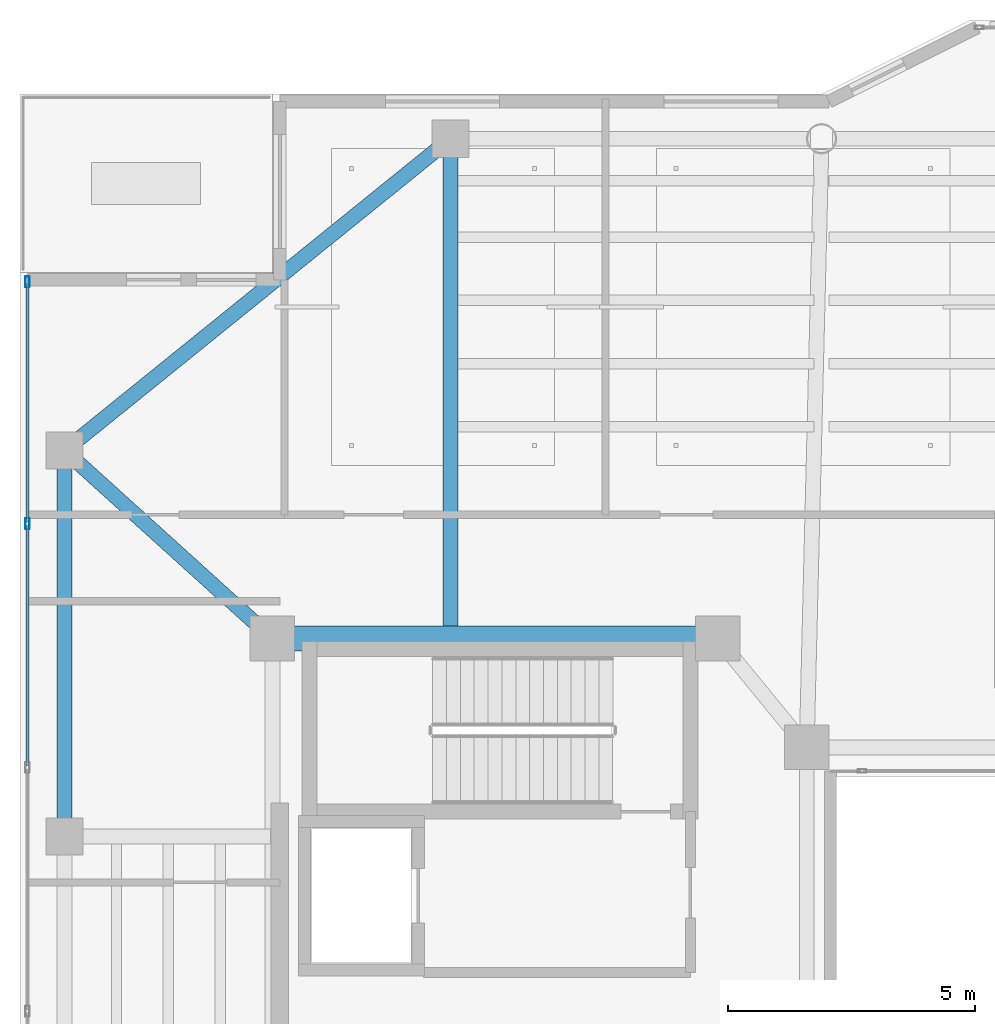
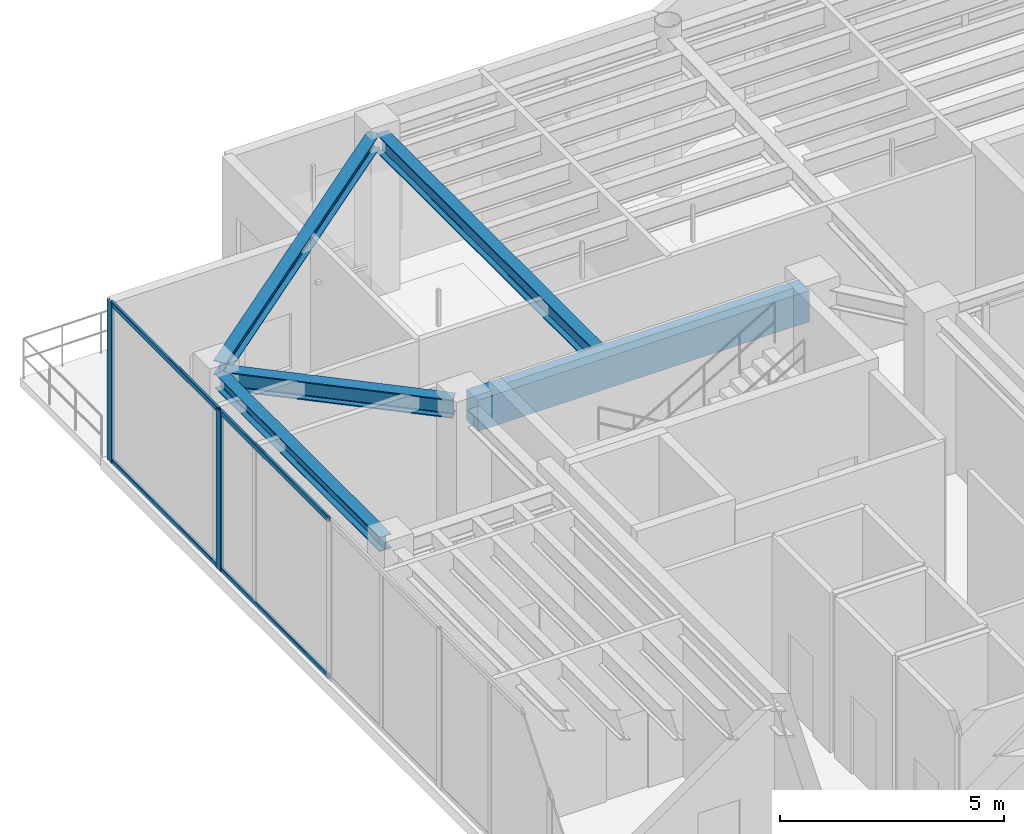
# One storey, part 17 of 34: 6 members, 5 beams, 1 element without a shape of its own.
"""IFC4 building model written with IfcOpenShell, lengths in metres."""

from ifc_helpers import new_model, si_unit, direction, frame, origin, origin_2d, place, context, subcontext, project, spatial, rectangle, hollow_rectangle, i_section, extrude, material, layer, layer_set, material_profile, profile_set, type_object, element, aggregate, save


model = new_model("IFC4")

# Units and contexts
model_context = context("Model", 3, precision=1e-05, world=origin(), true_north=direction((0.0, 1.0)))
body_context = subcontext(model_context, "Body", "Model", "MODEL_VIEW")
ifc_project = project(units=[si_unit("LENGTHUNIT", "METRE"), si_unit("AREAUNIT", "SQUARE_METRE"), si_unit("VOLUMEUNIT", "CUBIC_METRE"), si_unit("PLANEANGLEUNIT", "RADIAN"), si_unit("MASSUNIT", "GRAM", prefix="KILO")], contexts=[model_context])

# Site, building, storey
site_placement = place(None, origin())
site = spatial("IfcSite", under=ifc_project, at=site_placement, CompositionType="ELEMENT")
building_placement = place(site_placement, origin())
building = spatial("IfcBuilding", under=site, at=building_placement, Name="Tarnavaz Court Tower", CompositionType="ELEMENT")
storey_placement = place(building_placement, frame((0.0, 0.0, 231.75)))
storey = spatial("IfcBuildingStorey", under=building, at=storey_placement, Name="L63", CompositionType="ELEMENT", Elevation=231.75)

# Beams
ifc_material_1 = material(Name="Concrete C50/60", Category="concrete")
ifc_material_profile_1 = material_profile(ifc_material_1, rectangle(XDim=0.5, YDim=0.85009765625, at=origin_2d()), Name="RC 500X850")
ifc_profile_set_1 = profile_set([ifc_material_profile_1], Name="Concrete C50/60")
beam_type_1 = type_object("IfcBeamType", Name="BM-CB850", PredefinedType="LINTEL", material=ifc_profile_set_1)
beam_1_placement = place(storey_placement, frame((-18.3798828125, 10.0, 3.925048828125), z_axis=(1.0, 0.0, 0.0), x_axis=(0.0, 1.0, 0.0)))
element("IfcBeam", 1, at=beam_1_placement, inside=storey, type_object=beam_type_1, Name="L63 Beam IN-CW-NO-CW-NI", PredefinedType="LINTEL", context=body_context, shape_type="SweptSolid", body=[
    extrude(rectangle(XDim=0.5, YDim=0.85009765625, at=origin_2d()), origin(), (0.0, 0.0, 1.0), 8.559814453125),
])
ifc_material_2 = material(Name="Steel S355", Category="steel")
ifc_material_profile_2 = material_profile(ifc_material_2, i_section(OverallWidth=0.300048828125, OverallDepth=0.5, WebThickness=0.014404296875, FlangeThickness=0.028076171875, FilletRadius=0.027099609375, at=origin_2d()), Name="HEB 500")
ifc_profile_set_2 = profile_set([ifc_material_profile_2], Name="Steel S355")
beam_type_2 = type_object("IfcBeamType", Name="BM-G-HEB500", PredefinedType="USERDEFINED", material=ifc_profile_set_2)
beam_2_placement = place(storey_placement, frame((-15.0, 10.0400390625, 4.10009765625), z_axis=(0.0, 1.0, 0.0), x_axis=(-1.0, 0.0, 0.0)))
element("IfcBeam", 2, at=beam_2_placement, inside=storey, type_object=beam_type_2, Name="L63 Beam RG-01", ObjectType="GIRDER", PredefinedType="USERDEFINED", context=body_context, shape_type="SweptSolid", body=[
    extrude(i_section(OverallWidth=0.300048828125, OverallDepth=0.5, WebThickness=0.014404296875, FlangeThickness=0.028076171875, FilletRadius=0.027099609375, at=origin_2d()), origin(), (0.0, 0.0, 1.0), 9.83984375),
])
beam_3_placement = place(storey_placement, frame((-18.76318359375, 10.147705078125, 4.10009765625), z_axis=(-0.741555708494, 0.670891296113, 0.0), x_axis=(-0.670891296113, -0.741555708494, 0.0)))
element("IfcBeam", 3, at=beam_3_placement, inside=storey, type_object=beam_type_2, Name="L63 Beam RG-16", ObjectType="GIRDER", PredefinedType="USERDEFINED", context=body_context, shape_type="SweptSolid", body=[
    extrude(i_section(OverallWidth=0.300048828125, OverallDepth=0.5, WebThickness=0.014404296875, FlangeThickness=0.028076171875, FilletRadius=0.027099609375, at=origin_2d()), origin(), (0.0, 0.0, 1.0), 5.223876953125),
])
ifc_material_profile_3 = material_profile(ifc_material_2, i_section(OverallWidth=0.300048828125, OverallDepth=0.389892578125, WebThickness=0.010986328125, FlangeThickness=0.01904296875, FilletRadius=0.027099609375, at=origin_2d()), Name="HEA 400")
ifc_profile_set_3 = profile_set([ifc_material_profile_3], Name="Steel S355")
beam_type_3 = type_object("IfcBeamType", Name="BM-SP-HEA400", PredefinedType="BEAM", material=ifc_profile_set_3)
beam_4_placement = place(storey_placement, frame((-22.800048828125, 6.219970703125, 4.155029296875), z_axis=(0.0, 1.0, 0.0), x_axis=(-1.0, 0.0, 0.0)))
element("IfcBeam", 4, at=beam_4_placement, inside=storey, type_object=beam_type_3, Name="L63 Beam PR-PW-3-PW-4", PredefinedType="BEAM", context=body_context, shape_type="SweptSolid", body=[
    extrude(i_section(OverallWidth=0.300048828125, OverallDepth=0.389892578125, WebThickness=0.010986328125, FlangeThickness=0.01904296875, FilletRadius=0.027099609375, at=origin_2d()), origin(), (0.0, 0.0, 1.0), 7.360107421875),
])
beam_5_placement = place(storey_placement, frame((-22.62890625, 13.938232421875, 4.155029296875), z_axis=(0.777935913531, 0.628343627674, 0.0), x_axis=(-0.628343627674, 0.777935913531, 0.0)))
element("IfcBeam", 5, at=beam_5_placement, inside=storey, type_object=beam_type_3, Name="L63 Beam PR-PW-4-PN-1", PredefinedType="BEAM", context=body_context, shape_type="SweptSolid", body=[
    extrude(i_section(OverallWidth=0.300048828125, OverallDepth=0.389892578125, WebThickness=0.010986328125, FlangeThickness=0.01904296875, FilletRadius=0.027099609375, at=origin_2d()), origin(), (0.0, 0.0, 1.0), 9.586669921875),
])

# Curtain wall, members
ifc_material_3 = material(Name="Anodised Aluminium 6063-T6 and Solar Low-E Glazing", Category="aluminium")
ifc_layer = layer(ifc_material_3, 0.199951171875)
ifc_layer_set = layer_set([ifc_layer], Name="Anodised Aluminium 6063-T6 and Solar Low-E Glazing")
curtain_wall_type = type_object("IfcCurtainWallType", Name="CW-SYS-05", PredefinedType="NOTDEFINED", material=ifc_layer_set)
curtain_wall_placement = place(storey_placement, origin())
curtain_wall = element("IfcCurtainWall", 6, at=curtain_wall_placement, inside=storey, type_object=curtain_wall_type, Name="L63 Sky-Portal Curtain Wall 2", PredefinedType="NOTDEFINED")
ifc_material_4 = material(Name="Anodised Aluminium 6063-T6", Category="aluminium")
ifc_material_profile_4 = material_profile(ifc_material_4, hollow_rectangle(XDim=0.0849609375, YDim=0.219970703125, WallThickness=0.006103515625, InnerFilletRadius=0.006103515625, OuterFilletRadius=0.011962890625, at=origin_2d()), Name="ALU RHS 220X85X6")
ifc_profile_set_4 = profile_set([ifc_material_profile_4], Name="Anodised Aluminium 6063-T6")
member_type_1 = type_object("IfcMemberType", Name="CW-MUL-220", PredefinedType="MULLION", material=ifc_profile_set_4)
member_1_placement = place(storey_placement, frame((-23.550048828125, 12.321533203125, 0.0), z_axis=(0.0, 0.0, 1.0), x_axis=(-1.0, 0.0, 0.0)))
member_1 = element("IfcMember", 7, at=member_1_placement, type_object=member_type_1, Name="CW mullion 7", PredefinedType="MULLION", context=body_context, shape_type="SweptSolid", body=[
    extrude(hollow_rectangle(XDim=0.0849609375, YDim=0.219970703125, WallThickness=0.006103515625, InnerFilletRadius=0.006103515625, OuterFilletRadius=0.011962890625, at=origin_2d()), origin(), (0.0, 0.0, 1.0), 4.35009765625),
])
member_2_placement = place(storey_placement, frame((-23.550048828125, 17.20751953125, 0.0), z_axis=(0.0, 0.0, 1.0), x_axis=(-1.0, 0.0, 0.0)))
member_2 = element("IfcMember", 8, at=member_2_placement, type_object=member_type_1, Name="CW mullion 8", PredefinedType="MULLION", context=body_context, shape_type="SweptSolid", body=[
    extrude(hollow_rectangle(XDim=0.0849609375, YDim=0.219970703125, WallThickness=0.006103515625, InnerFilletRadius=0.006103515625, OuterFilletRadius=0.011962890625, at=origin_2d()), origin(), (0.0, 0.0, 1.0), 4.35009765625),
])
ifc_material_profile_5 = material_profile(ifc_material_4, hollow_rectangle(XDim=0.06494140625, YDim=0.139892578125, WallThickness=0.00390625, InnerFilletRadius=0.00390625, OuterFilletRadius=0.008056640625, at=origin_2d()), Name="ALU RHS 140X65X4")
ifc_profile_set_5 = profile_set([ifc_material_profile_5], Name="Anodised Aluminium 6063-T6")
member_type_2 = type_object("IfcMemberType", Name="CW-TRN-140", PredefinedType="USERDEFINED", material=ifc_profile_set_5)
member_3_placement = place(storey_placement, frame((-23.550048828125, 7.435302734375, 0.032470703125), z_axis=(0.0, 1.0, 0.0), x_axis=(-1.0, 0.0, 0.0)))
member_3 = element("IfcMember", 9, at=member_3_placement, type_object=member_type_2, Name="CW transom 6.1", ObjectType="TRANSOM", PredefinedType="USERDEFINED", context=body_context, shape_type="SweptSolid", body=[
    extrude(hollow_rectangle(XDim=0.06494140625, YDim=0.139892578125, WallThickness=0.00390625, InnerFilletRadius=0.00390625, OuterFilletRadius=0.008056640625, at=origin_2d()), origin(), (0.0, 0.0, 1.0), 4.843505859375),
])
member_4_placement = place(storey_placement, frame((-23.550048828125, 7.435302734375, 4.3173828125), z_axis=(0.0, 1.0, 0.0), x_axis=(-1.0, 0.0, 0.0)))
member_4 = element("IfcMember", 10, at=member_4_placement, type_object=member_type_2, Name="CW transom 6.2", ObjectType="TRANSOM", PredefinedType="USERDEFINED", context=body_context, shape_type="SweptSolid", body=[
    extrude(hollow_rectangle(XDim=0.06494140625, YDim=0.139892578125, WallThickness=0.00390625, InnerFilletRadius=0.00390625, OuterFilletRadius=0.008056640625, at=origin_2d()), origin(), (0.0, 0.0, 1.0), 4.843505859375),
])
member_5_placement = place(storey_placement, frame((-23.550048828125, 12.364013671875, 0.032470703125), z_axis=(0.0, 1.0, 0.0), x_axis=(-1.0, 0.0, 0.0)))
member_5 = element("IfcMember", 11, at=member_5_placement, type_object=member_type_2, Name="CW transom 7.1", ObjectType="TRANSOM", PredefinedType="USERDEFINED", context=body_context, shape_type="SweptSolid", body=[
    extrude(hollow_rectangle(XDim=0.06494140625, YDim=0.139892578125, WallThickness=0.00390625, InnerFilletRadius=0.00390625, OuterFilletRadius=0.008056640625, at=origin_2d()), origin(), (0.0, 0.0, 1.0), 4.801025390625),
])
member_6_placement = place(storey_placement, frame((-23.550048828125, 12.364013671875, 4.3173828125), z_axis=(0.0, 1.0, 0.0), x_axis=(-1.0, 0.0, 0.0)))
member_6 = element("IfcMember", 12, at=member_6_placement, type_object=member_type_2, Name="CW transom 7.2", ObjectType="TRANSOM", PredefinedType="USERDEFINED", context=body_context, shape_type="SweptSolid", body=[
    extrude(hollow_rectangle(XDim=0.06494140625, YDim=0.139892578125, WallThickness=0.00390625, InnerFilletRadius=0.00390625, OuterFilletRadius=0.008056640625, at=origin_2d()), origin(), (0.0, 0.0, 1.0), 4.801025390625),
])
aggregate(curtain_wall, [member_1, member_2, member_3, member_4, member_5, member_6])

save(model, "model.ifc")
